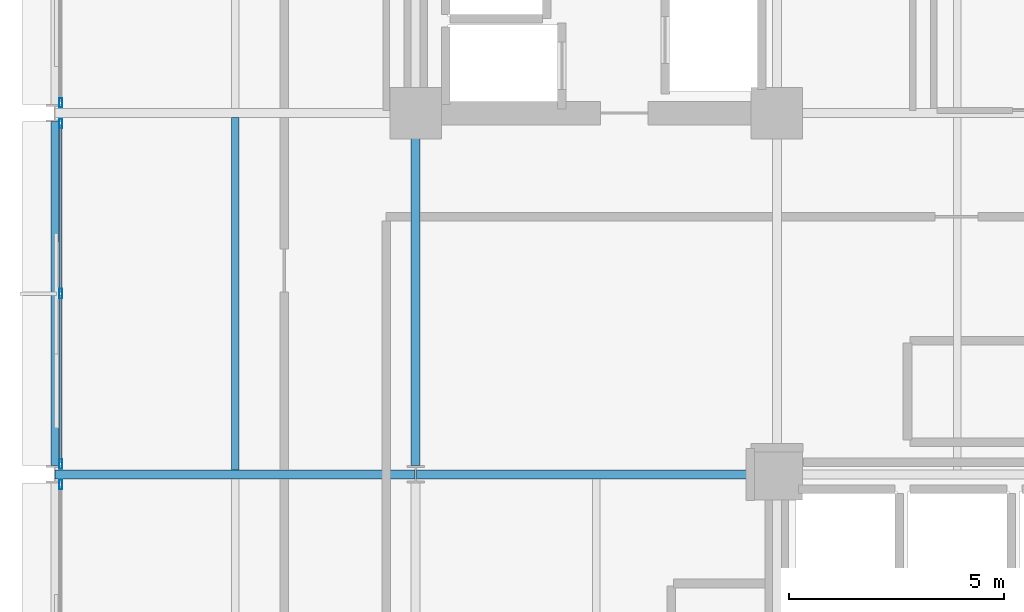
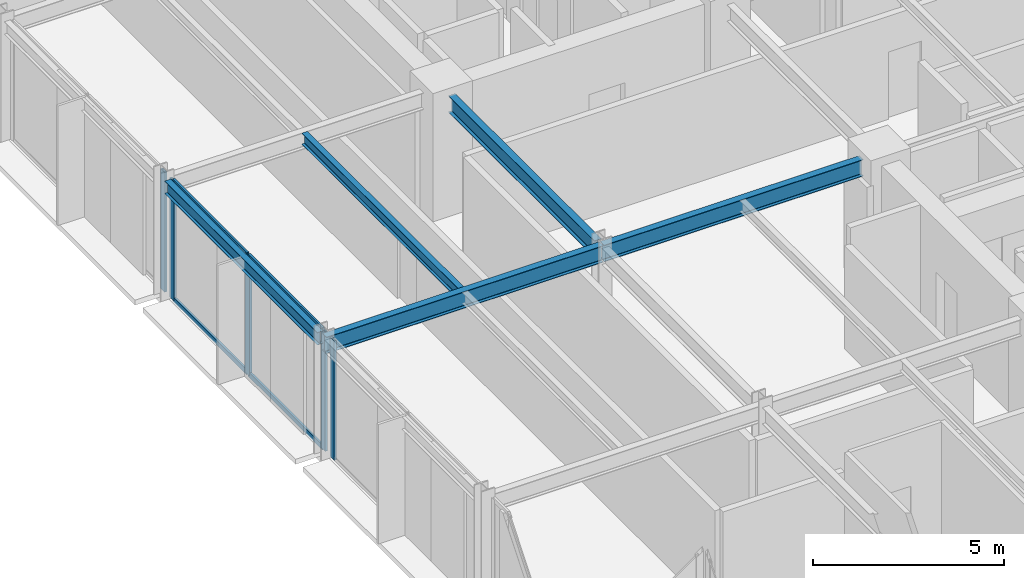
# One storey, part 6 of 25: 9 members, 5 beams, 3 elements without a shape of their own.
"""IFC4 building model written with IfcOpenShell, lengths in metres."""

from ifc_helpers import new_model, si_unit, direction, frame, origin, origin_2d, place, context, subcontext, project, spatial, hollow_rectangle, i_section, extrude, material, layer, layer_set, material_profile, profile_set, type_object, element, aggregate, save


model = new_model("IFC4")

# Units and contexts
model_context = context("Model", 3, precision=1e-05, world=origin(), true_north=direction((0.0, 1.0)))
body_context = subcontext(model_context, "Body", "Model", "MODEL_VIEW")
ifc_project = project(units=[si_unit("LENGTHUNIT", "METRE"), si_unit("AREAUNIT", "SQUARE_METRE"), si_unit("VOLUMEUNIT", "CUBIC_METRE"), si_unit("PLANEANGLEUNIT", "RADIAN"), si_unit("MASSUNIT", "GRAM", prefix="KILO")], contexts=[model_context])

# Site, building, storey
site_placement = place(None, origin())
site = spatial("IfcSite", under=ifc_project, at=site_placement, CompositionType="ELEMENT")
building_placement = place(site_placement, origin())
building = spatial("IfcBuilding", under=site, at=building_placement, Name="Nerrivon Quay Data Exchange", CompositionType="ELEMENT")
storey_placement = place(building_placement, frame((0.0, 0.0, 113.10009765625)))
storey = spatial("IfcBuildingStorey", under=building, at=storey_placement, Name="L26", CompositionType="ELEMENT", Elevation=113.10009765625)

# Beams
ifc_material_1 = material(Name="Steel Grade 350", Category="steel")
ifc_material_profile_1 = material_profile(ifc_material_1, i_section(OverallWidth=0.208984375, OverallDepth=0.532958984375, WebThickness=0.01025390625, FlangeThickness=0.015625, FilletRadius=0.013916015625, at=origin_2d()), Name="530UB92.4")
ifc_profile_set_1 = profile_set([ifc_material_profile_1], Name="Steel Grade 350")
beam_type_1 = type_object("IfcBeamType", Name="BM-G3-530UB92", PredefinedType="BEAM", material=ifc_profile_set_1)
beam_1_placement = place(storey_placement, frame((0.012451171875, 16.800048828125, 3.558349609375), z_axis=(1.0, 0.0, 0.0), x_axis=(0.0, 1.0, 0.0)))
element("IfcBeam", 1, at=beam_1_placement, inside=storey, type_object=beam_type_1, Name="L26 EW Girder Y=16.8 (0.0..8.4)", PredefinedType="BEAM", context=body_context, shape_type="SweptSolid", body=[
    extrude(i_section(OverallWidth=0.208984375, OverallDepth=0.532958984375, WebThickness=0.01025390625, FlangeThickness=0.015625, FilletRadius=0.013916015625, at=origin_2d()), origin(), (0.0, 0.0, 1.0), 8.375),
])
beam_2_placement = place(storey_placement, frame((8.41259765625, 16.800048828125, 3.558349609375), z_axis=(1.0, 0.0, 0.0), x_axis=(0.0, 1.0, 0.0)))
element("IfcBeam", 2, at=beam_2_placement, inside=storey, type_object=beam_type_1, Name="L26 EW Girder Y=16.8 (8.4..16.8)", PredefinedType="BEAM", context=body_context, shape_type="SweptSolid", body=[
    extrude(i_section(OverallWidth=0.208984375, OverallDepth=0.532958984375, WebThickness=0.01025390625, FlangeThickness=0.015625, FilletRadius=0.013916015625, at=origin_2d()), origin(), (0.0, 0.0, 1.0), 7.847412109375),
])
ifc_material_profile_2 = material_profile(ifc_material_1, i_section(OverallWidth=0.208984375, OverallDepth=0.528076171875, WebThickness=0.009521484375, FlangeThickness=0.01318359375, FilletRadius=0.013916015625, at=origin_2d()), Name="530UB82.0")
ifc_profile_set_2 = profile_set([ifc_material_profile_2], Name="Steel Grade 350")
beam_type_2 = type_object("IfcBeamType", Name="BM-G4-530UB82", PredefinedType="BEAM", material=ifc_profile_set_2)
beam_3_placement = place(storey_placement, frame((8.39990234375, 17.0, 3.560791015625), z_axis=(0.0, 1.0, 0.0), x_axis=(-1.0, 0.0, 0.0)))
element("IfcBeam", 3, at=beam_3_placement, inside=storey, type_object=beam_type_2, Name="L26 NS Girder X=8.4 (16.8..25.2)", PredefinedType="BEAM", context=body_context, shape_type="SweptSolid", body=[
    extrude(i_section(OverallWidth=0.208984375, OverallDepth=0.528076171875, WebThickness=0.009521484375, FlangeThickness=0.01318359375, FilletRadius=0.013916015625, at=origin_2d()), origin(), (0.0, 0.0, 1.0), 7.659912109375),
])
ifc_material_profile_3 = material_profile(ifc_material_1, i_section(OverallWidth=0.1708984375, OverallDepth=0.35595703125, WebThickness=0.00732421875, FlangeThickness=0.011474609375, FilletRadius=0.011474609375, at=origin_2d()), Name="360UB50.7")
ifc_profile_set_3 = profile_set([ifc_material_profile_3], Name="Steel Grade 350")
beam_type_3 = type_object("IfcBeamType", Name="BM-J4-360UB51", PredefinedType="JOIST", material=ifc_profile_set_3)
beam_4_placement = place(storey_placement, frame((4.199951171875, 16.904541015625, 3.64697265625), z_axis=(0.0, 1.0, 0.0), x_axis=(-1.0, 0.0, 0.0)))
element("IfcBeam", 4, at=beam_4_placement, inside=storey, type_object=beam_type_3, Name="L26 Secondary Joist X=4.2 (16.8..25.2)", PredefinedType="JOIST", context=body_context, shape_type="SweptSolid", body=[
    extrude(i_section(OverallWidth=0.1708984375, OverallDepth=0.35595703125, WebThickness=0.00732421875, FlangeThickness=0.011474609375, FilletRadius=0.011474609375, at=origin_2d()), origin(), (0.0, 0.0, 1.0), 8.19091796875),
])
ifc_material_profile_4 = material_profile(ifc_material_1, i_section(OverallWidth=0.177978515625, OverallDepth=0.403076171875, WebThickness=0.007568359375, FlangeThickness=0.010986328125, FilletRadius=0.011474609375, at=origin_2d()), Name="410UB53.7")
ifc_profile_set_4 = profile_set([ifc_material_profile_4], Name="Steel Grade 350")
beam_type_4 = type_object("IfcBeamType", Name="BM-SP2-410UB54", PredefinedType="SPANDREL", material=ifc_profile_set_4)
beam_5_placement = place(storey_placement, frame((0.0, 17.0, 3.623291015625), z_axis=(0.0, 1.0, 0.0), x_axis=(-1.0, 0.0, 0.0)))
element("IfcBeam", 5, at=beam_5_placement, inside=storey, type_object=beam_type_4, Name="L26 NS Girder X=0.0 (16.8..25.2)", PredefinedType="SPANDREL", context=body_context, shape_type="SweptSolid", body=[
    extrude(i_section(OverallWidth=0.177978515625, OverallDepth=0.403076171875, WebThickness=0.007568359375, FlangeThickness=0.010986328125, FilletRadius=0.011474609375, at=origin_2d()), origin(), (0.0, 0.0, 1.0), 8.0),
])

# Curtain wall, member
ifc_material_2 = material(Name="Anodised aluminium 6063-T6", Category="aluminium")
ifc_layer = layer(ifc_material_2, 0.22998046875)
ifc_layer_set = layer_set([ifc_layer], Name="Anodised aluminium 6063-T6")
curtain_wall_type = type_object("IfcCurtainWallType", Name="CW-SYS-05", PredefinedType="NOTDEFINED", material=ifc_layer_set)
curtain_wall_1_placement = place(storey_placement, origin())
curtain_wall_1 = element("IfcCurtainWall", 6, at=curtain_wall_1_placement, inside=storey, type_object=curtain_wall_type, Name="L26 Unitised Curtain Wall 13", PredefinedType="NOTDEFINED")
ifc_material_profile_5 = material_profile(ifc_material_2, hollow_rectangle(XDim=0.074951171875, YDim=0.219970703125, WallThickness=0.00390625, at=origin_2d()), Name="ALU-MULL-220x75")
ifc_profile_set_5 = profile_set([ifc_material_profile_5], Name="Anodised aluminium 6063-T6")
member_type_1 = type_object("IfcMemberType", Name="CWM-220x75", PredefinedType="MULLION", material=ifc_profile_set_5)
member_1_placement = place(storey_placement, frame((0.139892578125, 16.5625, 0.0), z_axis=(0.0, 0.0, 1.0), x_axis=(-1.0, 0.0, 0.0)))
member_1 = element("IfcMember", 7, at=member_1_placement, type_object=member_type_1, Name="CW05 mullion 3", PredefinedType="MULLION", context=body_context, shape_type="SweptSolid", body=[
    extrude(hollow_rectangle(XDim=0.074951171875, YDim=0.219970703125, WallThickness=0.00390625, at=origin_2d()), origin(), (0.0, 0.0, 1.0), 3.824951171875),
])
aggregate(curtain_wall_1, [member_1])

# Curtain wall, members
curtain_wall_2_placement = place(storey_placement, origin())
curtain_wall_2 = element("IfcCurtainWall", 8, at=curtain_wall_2_placement, inside=storey, type_object=curtain_wall_type, Name="L26 Unitised Curtain Wall 14", PredefinedType="NOTDEFINED")
member_2_placement = place(storey_placement, frame((0.139892578125, 17.03759765625, 0.0), z_axis=(0.0, 0.0, 1.0), x_axis=(-1.0, 0.0, 0.0)))
member_2 = element("IfcMember", 9, at=member_2_placement, type_object=member_type_1, Name="CW05 mullion 1", PredefinedType="MULLION", context=body_context, shape_type="SweptSolid", body=[
    extrude(hollow_rectangle(XDim=0.074951171875, YDim=0.219970703125, WallThickness=0.00390625, at=origin_2d()), origin(), (0.0, 0.0, 1.0), 3.824951171875),
])
member_3_placement = place(storey_placement, frame((0.139892578125, 21.0, 0.0), z_axis=(0.0, 0.0, 1.0), x_axis=(-1.0, 0.0, 0.0)))
member_3 = element("IfcMember", 10, at=member_3_placement, type_object=member_type_1, Name="CW05 mullion 2", PredefinedType="MULLION", context=body_context, shape_type="SweptSolid", body=[
    extrude(hollow_rectangle(XDim=0.074951171875, YDim=0.219970703125, WallThickness=0.00390625, at=origin_2d()), origin(), (0.0, 0.0, 1.0), 3.824951171875),
])
member_4_placement = place(storey_placement, frame((0.139892578125, 24.96240234375, 0.0), z_axis=(0.0, 0.0, 1.0), x_axis=(-1.0, 0.0, 0.0)))
member_4 = element("IfcMember", 11, at=member_4_placement, type_object=member_type_1, Name="CW05 mullion 3", PredefinedType="MULLION", context=body_context, shape_type="SweptSolid", body=[
    extrude(hollow_rectangle(XDim=0.074951171875, YDim=0.219970703125, WallThickness=0.00390625, at=origin_2d()), origin(), (0.0, 0.0, 1.0), 3.824951171875),
])

# Curtain wall, member
curtain_wall_3_placement = place(storey_placement, origin())
curtain_wall_3 = element("IfcCurtainWall", 12, at=curtain_wall_3_placement, inside=storey, type_object=curtain_wall_type, Name="L26 Unitised Curtain Wall 15", PredefinedType="NOTDEFINED")
member_5_placement = place(storey_placement, frame((0.139892578125, 25.4375, 0.0), z_axis=(0.0, 0.0, 1.0), x_axis=(-1.0, 0.0, 0.0)))
member_5 = element("IfcMember", 13, at=member_5_placement, type_object=member_type_1, Name="CW05 mullion 1", PredefinedType="MULLION", context=body_context, shape_type="SweptSolid", body=[
    extrude(hollow_rectangle(XDim=0.074951171875, YDim=0.219970703125, WallThickness=0.00390625, at=origin_2d()), origin(), (0.0, 0.0, 1.0), 3.824951171875),
])
aggregate(curtain_wall_3, [member_5])

# Member
ifc_material_profile_6 = material_profile(ifc_material_2, hollow_rectangle(XDim=0.06494140625, YDim=0.14990234375, WallThickness=0.00341796875, at=origin_2d()), Name="ALU-TRAN-150x65")
ifc_profile_set_6 = profile_set([ifc_material_profile_6], Name="Anodised aluminium 6063-T6")
member_type_2 = type_object("IfcMemberType", Name="CWT-150x65", PredefinedType="USERDEFINED", material=ifc_profile_set_6)
member_6_placement = place(storey_placement, frame((0.139892578125, 17.074951171875, 0.032470703125), z_axis=(0.0, 1.0, 0.0), x_axis=(-1.0, 0.0, 0.0)))
member_6 = element("IfcMember", 14, at=member_6_placement, type_object=member_type_2, Name="CW05 transom 1.1", ObjectType="TRANSOM", PredefinedType="USERDEFINED", context=body_context, shape_type="SweptSolid", body=[
    extrude(hollow_rectangle(XDim=0.06494140625, YDim=0.14990234375, WallThickness=0.00341796875, at=origin_2d()), origin(), (0.0, 0.0, 1.0), 3.887451171875),
])

member_7_placement = place(storey_placement, frame((0.139892578125, 17.074951171875, 3.79248046875), z_axis=(0.0, 1.0, 0.0), x_axis=(-1.0, 0.0, 0.0)))
member_7 = element("IfcMember", 15, at=member_7_placement, type_object=member_type_2, Name="CW05 transom 1.2", ObjectType="TRANSOM", PredefinedType="USERDEFINED", context=body_context, shape_type="SweptSolid", body=[
    extrude(hollow_rectangle(XDim=0.06494140625, YDim=0.14990234375, WallThickness=0.00341796875, at=origin_2d()), origin(), (0.0, 0.0, 1.0), 3.887451171875),
])

member_8_placement = place(storey_placement, frame((0.139892578125, 21.03759765625, 0.032470703125), z_axis=(0.0, 1.0, 0.0), x_axis=(-1.0, 0.0, 0.0)))
member_8 = element("IfcMember", 16, at=member_8_placement, type_object=member_type_2, Name="CW05 transom 2.1", ObjectType="TRANSOM", PredefinedType="USERDEFINED", context=body_context, shape_type="SweptSolid", body=[
    extrude(hollow_rectangle(XDim=0.06494140625, YDim=0.14990234375, WallThickness=0.00341796875, at=origin_2d()), origin(), (0.0, 0.0, 1.0), 3.887451171875),
])

member_9_placement = place(storey_placement, frame((0.139892578125, 21.03759765625, 3.79248046875), z_axis=(0.0, 1.0, 0.0), x_axis=(-1.0, 0.0, 0.0)))
member_9 = element("IfcMember", 17, at=member_9_placement, type_object=member_type_2, Name="CW05 transom 2.2", ObjectType="TRANSOM", PredefinedType="USERDEFINED", context=body_context, shape_type="SweptSolid", body=[
    extrude(hollow_rectangle(XDim=0.06494140625, YDim=0.14990234375, WallThickness=0.00341796875, at=origin_2d()), origin(), (0.0, 0.0, 1.0), 3.887451171875),
])

aggregate(curtain_wall_2, [member_2, member_3, member_4, member_6, member_7, member_8, member_9])

save(model, "model.ifc")
